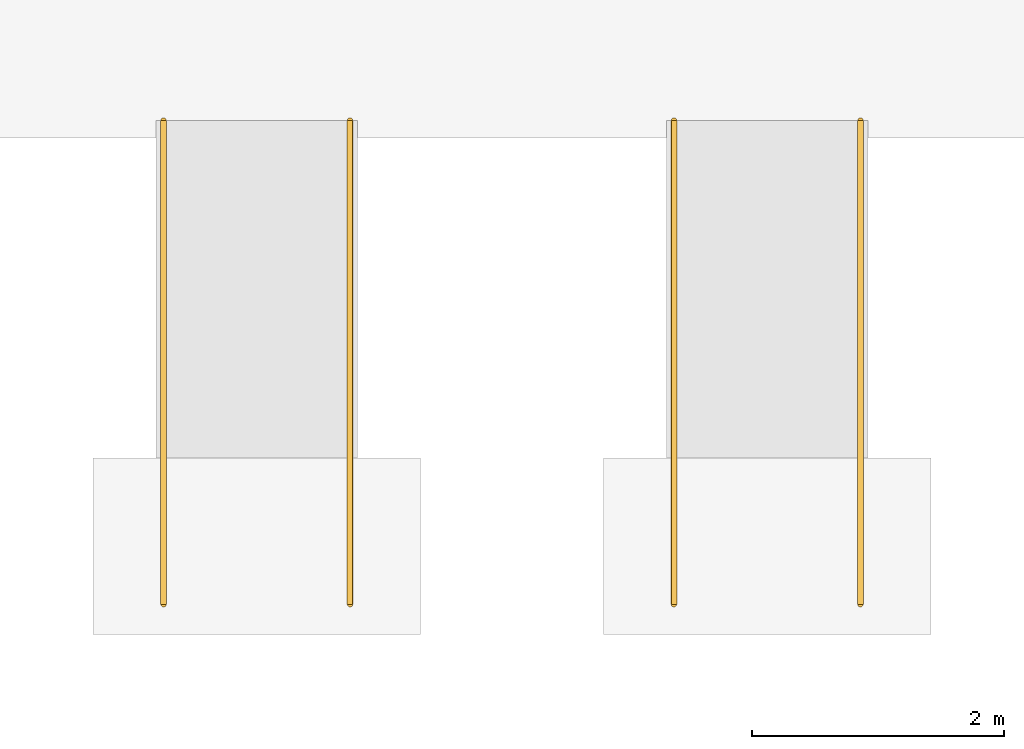
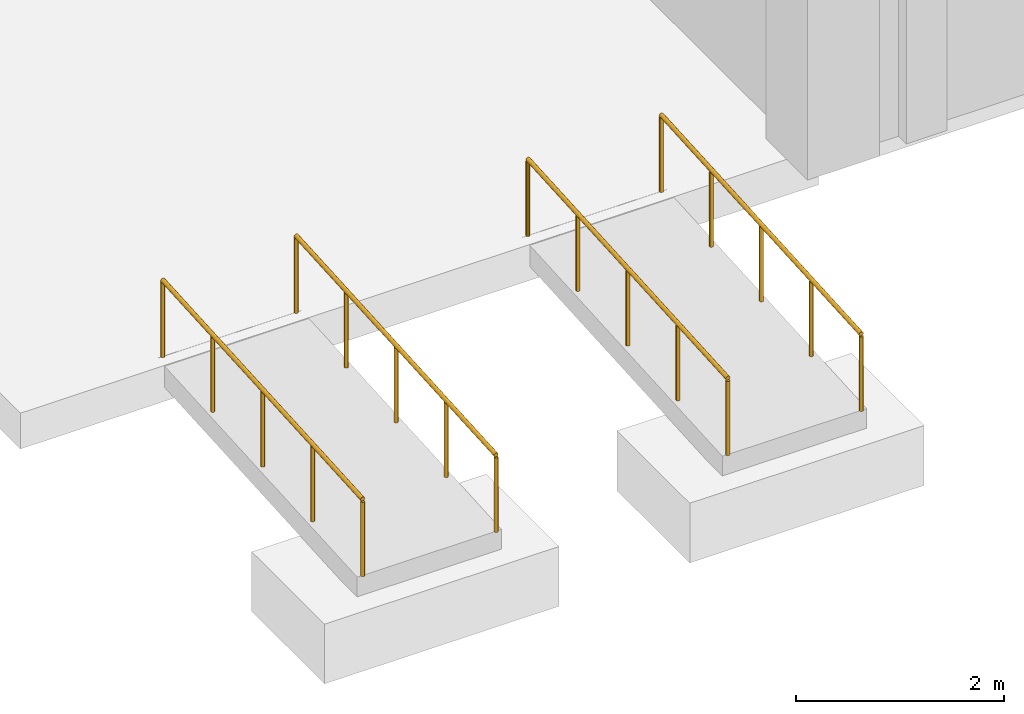
# One storey, part 70 of 76: 4 railings.
"""IFC4 building model written with IfcOpenShell, lengths in metres."""

from ifc_helpers import new_model, si_unit, direction, frame, origin, origin_2d, place, context, subcontext, project, spatial, circle, extrude, material, type_object, element, save


model = new_model("IFC4")

# Units and contexts
model_context = context("Model", 3, precision=1e-05, world=origin(), true_north=direction((0.0, 1.0)))
body_context = subcontext(model_context, "Body", "Model", "MODEL_VIEW")
ifc_project = project(units=[si_unit("LENGTHUNIT", "METRE"), si_unit("AREAUNIT", "SQUARE_METRE"), si_unit("VOLUMEUNIT", "CUBIC_METRE"), si_unit("PLANEANGLEUNIT", "RADIAN"), si_unit("MASSUNIT", "GRAM", prefix="KILO")], contexts=[model_context])

# Site, building, storey
site_placement = place(None, origin())
site = spatial("IfcSite", under=ifc_project, at=site_placement, CompositionType="ELEMENT")
building_placement = place(site_placement, origin())
building = spatial("IfcBuilding", under=site, at=building_placement, Name="Bozkorgan Art Gallery", CompositionType="ELEMENT")
storey_placement = place(building_placement, origin())
storey = spatial("IfcBuildingStorey", under=building, at=storey_placement, Name="L00", CompositionType="ELEMENT", Elevation=0.0)

# Railings
ifc_material = material(Name="Steel S355J2", Category="steel")
railing_type = type_object("IfcRailingType", Name="RAIL-RMP-01", PredefinedType="HANDRAIL", material=ifc_material)
for number, where, name in (
    (1, (120.760009765625, 62.300048828125, -0.239990234375), "North Plinth Step-Free Pedestrian Ramp W handrail (L)"),
    (2, (122.239990234375, 62.300048828125, -0.239990234375), "North Plinth Step-Free Pedestrian Ramp W handrail (R)"),
    (3, (124.81005859375, 62.300048828125, -0.239990234375), "North Plinth Step-Free Pedestrian Ramp E handrail (L)"),
    (4, (126.2900390625, 62.300048828125, -0.239990234375), "North Plinth Step-Free Pedestrian Ramp E handrail (R)"),
):
    element("IfcRailing", number, at=place(storey_placement, frame(where)), inside=storey, type_object=railing_type, Name=name, PredefinedType="HANDRAIL", context=body_context, shape_type="SweptSolid", body=[
        extrude(circle(Radius=0.02392578125, at=origin_2d()), frame((0.0, 0.0, 0.89599609375), z_axis=(0.0, 0.998052578483, 0.062378286155), x_axis=(-1.0, 0.0, 0.0)), (0.0, 0.0, 1.0), 3.847412109375),
        extrude(circle(Radius=0.02099609375, at=origin_2d()), origin(), (0.0, 0.0, 1.0), 0.871826171875),
        extrude(circle(Radius=0.02099609375, at=origin_2d()), frame((0.0, 0.9599609375, 0.06005859375)), (0.0, 0.0, 1.0), 0.871826171875),
        extrude(circle(Radius=0.02099609375, at=origin_2d()), frame((0.0, 1.919921875, 0.1201171875)), (0.0, 0.0, 1.0), 0.871826171875),
        extrude(circle(Radius=0.02099609375, at=origin_2d()), frame((0.0, 2.8798828125, 0.179931640625)), (0.0, 0.0, 1.0), 0.871826171875),
        extrude(circle(Radius=0.02099609375, at=origin_2d()), frame((0.0, 3.83984375, 0.239990234375)), (0.0, 0.0, 1.0), 0.871826171875),
    ])

save(model, "model.ifc")
